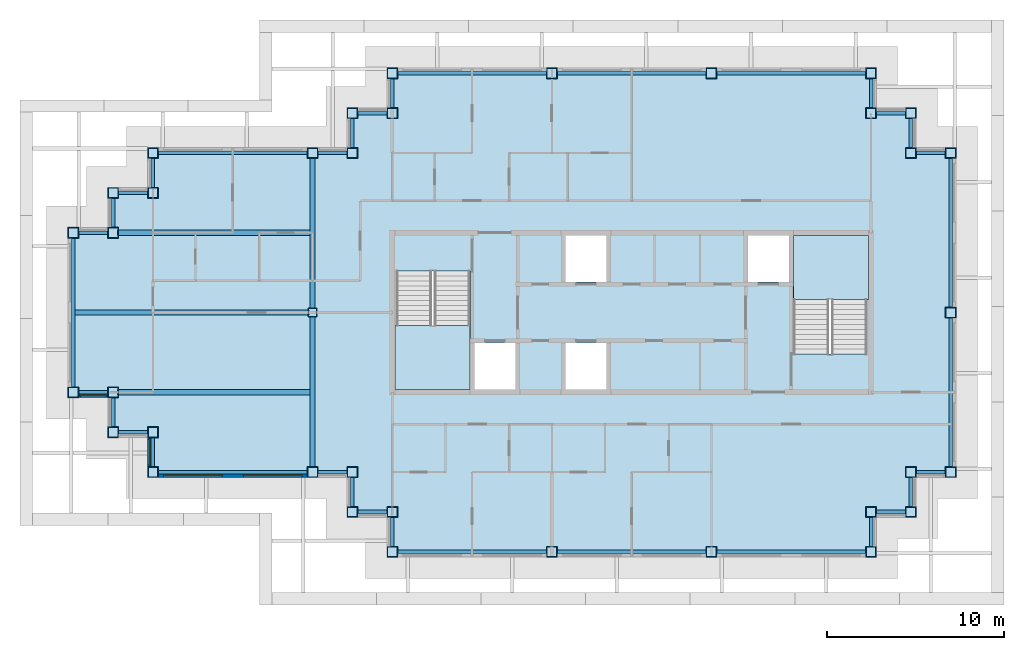
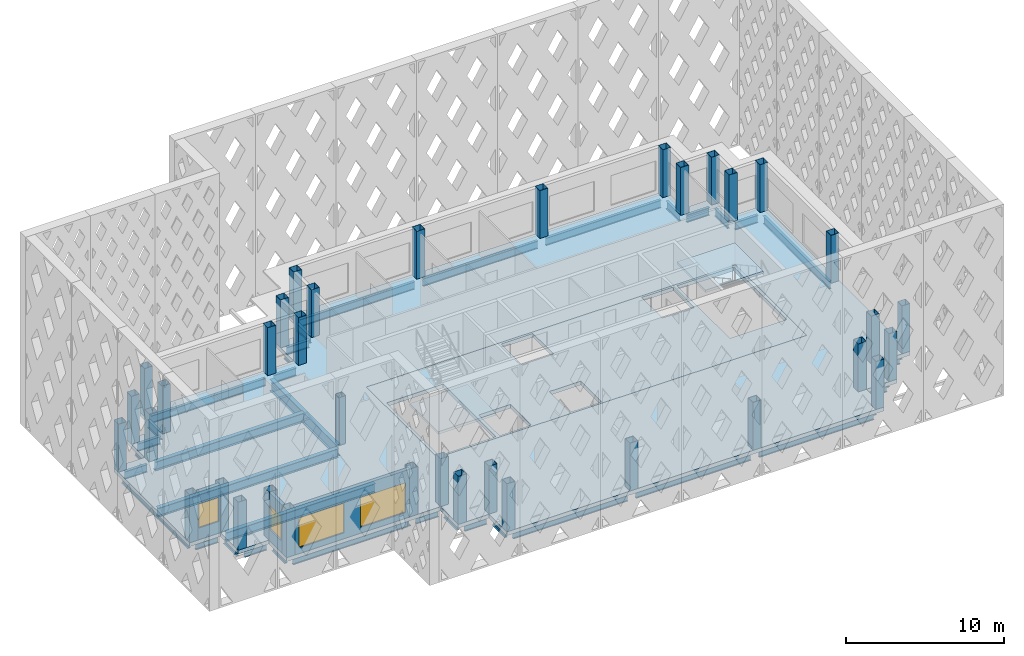
# One storey, part 1 of 15: 40 beams, 36 columns, 4 slabs, 4 windows, 3 walls, 4 openings, 2 elements without a shape of their own.
"""IFC4 building model written with IfcOpenShell, lengths in metres."""

import ifcopenshell
import ifcopenshell.guid

model = None  # the IFC model being written
_history = None  # IfcOwnerHistory: only IFC2X3 demands one
_inside = {}  # id of a spatial element -> (the spatial element, [elements in it])
_under = {}  # id of a project, library or spatial element -> (it, [spatial elements below it])
_declared = {}  # id of a project -> (the project, [libraries it declares])
_typed = {}  # id of a type object -> (the type object, [elements of that type])
_made_of = {}  # id of a material, layer set ... -> (it, [elements and type objects made of it])


def new_model(schema):
    """Start an empty IFC model of exactly this schema.

    Asked for "IFC4X3", IfcOpenShell would pick the latest addendum, in which some entities
    have other attributes; the version numbers below select the first issue.
    IFC2X3 requires an IfcOwnerHistory on every rooted entity: one is made here for all.
    """
    global model, _history
    if schema == "IFC4X3":
        model = ifcopenshell.file(schema_version=(4, 3, 0, 0))
    else:
        model = ifcopenshell.file(schema=schema)
    _inside.clear()
    _under.clear()
    _declared.clear()
    _typed.clear()
    _made_of.clear()
    _history = None
    if model.schema == "IFC2X3":
        org = make("IfcOrganization", Name="unknown")
        user = make(
            "IfcPersonAndOrganization",
            ThePerson=make("IfcPerson", FamilyName="unknown"),
            TheOrganization=org,
        )
        app = make(
            "IfcApplication",
            ApplicationDeveloper=org,
            Version="unknown",
            ApplicationFullName="unknown",
            ApplicationIdentifier="unknown",
        )
        _history = make(
            "IfcOwnerHistory",
            OwningUser=user,
            OwningApplication=app,
            ChangeAction="ADDED",
            CreationDate=0,
        )
    return model


def make(cls, **values):
    """One entity of the class cls with the attributes given. An attribute that is None is left unset."""
    return model.create_entity(
        cls, **{name: value for name, value in values.items() if value is not None}
    )


def rooted(cls, **values):
    """An entity with a GlobalId (a new one), such as an element, a storey or a relation."""
    return make(cls, GlobalId=ifcopenshell.guid.new(), OwnerHistory=_history, **values)


def si_unit(unit_type, name, prefix=None):
    """IfcSIUnit, for example si_unit("LENGTHUNIT", "METRE", prefix="MILLI")."""
    return make("IfcSIUnit", UnitType=unit_type, Prefix=prefix, Name=name)


def assignment(units):
    """IfcUnitAssignment: the units of a project."""
    return None if units is None else make("IfcUnitAssignment", Units=units)


def point(xyz):
    """IfcCartesianPoint."""
    return None if xyz is None else make("IfcCartesianPoint", Coordinates=xyz)


def direction(xyz):
    """IfcDirection."""
    return None if xyz is None else make("IfcDirection", DirectionRatios=xyz)


def frame(location, z_axis=None, x_axis=None):
    """IfcAxis2Placement3D, a coordinate frame: its origin and axes. An axis left out is left unset."""
    return make(
        "IfcAxis2Placement3D",
        Location=point(location),
        Axis=direction(z_axis),
        RefDirection=direction(x_axis),
    )


def frame_2d(location, x_axis=None):
    """IfcAxis2Placement2D, a coordinate frame in the plane: its origin and x axis."""
    return make(
        "IfcAxis2Placement2D", Location=point(location), RefDirection=direction(x_axis)
    )


def origin():
    """The frame at (0, 0, 0) with its axes left unset."""
    return frame((0.0, 0.0, 0.0))


def origin_2d():
    """The frame at (0, 0) in the plane with its x axis left unset."""
    return frame_2d((0.0, 0.0))


def place(relative_to, where):
    """IfcLocalPlacement: puts the frame where relative to a parent placement (None: the world)."""
    return make(
        "IfcLocalPlacement", PlacementRelTo=relative_to, RelativePlacement=where
    )


def context(
    kind, dimensions, precision=None, world=None, true_north=None, identifier=None
):
    """IfcGeometricRepresentationContext, for example the 3D "Model" context."""
    return make(
        "IfcGeometricRepresentationContext",
        ContextIdentifier=identifier,
        ContextType=kind,
        CoordinateSpaceDimension=dimensions,
        Precision=precision,
        WorldCoordinateSystem=world,
        TrueNorth=true_north,
    )


def subcontext(parent, identifier, kind, view, scale=None):
    """IfcGeometricRepresentationSubContext, for example "Body" below "Model"."""
    return make(
        "IfcGeometricRepresentationSubContext",
        ContextIdentifier=identifier,
        ContextType=kind,
        ParentContext=parent,
        TargetScale=scale,
        TargetView=view,
    )


def project(units=None, contexts=None):
    """IfcProject with its units and contexts."""
    return rooted(
        "IfcProject",
        Name="project",
        RepresentationContexts=contexts,
        UnitsInContext=assignment(units),
    )


def spatial(cls, under=None, at=None, **own):
    """A site, building, storey or space (cls), placed at a placement, below another one or the project."""
    s = rooted(cls, ObjectPlacement=at, **own)
    if under is not None:
        _under.setdefault(under.id(), (under, []))[1].append(s)
    return s


def polyline(points):
    """IfcPolyline through the points."""
    return make("IfcPolyline", Points=[point(p) for p in points])


def profile(cls, at=None, kind="AREA", **sizes):
    """A parametric profile (cls). Its sizes go by their IFC names, for example OverallWidth=200.0."""
    return make(cls, ProfileType=kind, Position=at, **sizes)


def rectangle(**sizes):
    """IfcRectangleProfileDef."""
    return profile("IfcRectangleProfileDef", **sizes)


def hollow_rectangle(**sizes):
    """IfcRectangleHollowProfileDef."""
    return profile("IfcRectangleHollowProfileDef", **sizes)


def i_section(**sizes):
    """IfcIShapeProfileDef."""
    return profile("IfcIShapeProfileDef", **sizes)


def outline(outer, holes=None, kind="AREA"):
    """IfcArbitraryClosedProfileDef: a profile drawn as a closed curve; with holes, ...WithVoids."""
    if holes is None:
        return make("IfcArbitraryClosedProfileDef", ProfileType=kind, OuterCurve=outer)
    return make(
        "IfcArbitraryProfileDefWithVoids",
        ProfileType=kind,
        OuterCurve=outer,
        InnerCurves=holes,
    )


def extrude(swept, where, along, depth):
    """IfcExtrudedAreaSolid: the profile swept, set in the frame where, extruded along a direction by depth."""
    return make(
        "IfcExtrudedAreaSolid",
        SweptArea=swept,
        Position=where,
        ExtrudedDirection=direction(along),
        Depth=depth,
    )


def shape(context_of_items, identifier, shape_type, items):
    """IfcShapeRepresentation: the items that make up one representation, for example the "Body"."""
    return make(
        "IfcShapeRepresentation",
        ContextOfItems=context_of_items,
        RepresentationIdentifier=identifier,
        RepresentationType=shape_type,
        Items=items,
    )


def material(Name=None, Category=None):
    """IfcMaterial."""
    return make("IfcMaterial", Name=Name, Category=Category)


def layer(
    of_material, thickness, ventilated=None, Name=None, Category=None, Priority=None
):
    """IfcMaterialLayer: one layer of a wall or slab, of a material (None: an air gap)."""
    return make(
        "IfcMaterialLayer",
        Material=of_material,
        LayerThickness=thickness,
        IsVentilated=ventilated,
        Name=Name,
        Category=Category,
        Priority=Priority,
    )


def layer_set(layers, Name=None):
    """IfcMaterialLayerSet."""
    return make("IfcMaterialLayerSet", MaterialLayers=layers, LayerSetName=Name)


def material_profile(
    of_material, cross_section, Name=None, Category=None, Priority=None
):
    """IfcMaterialProfile: a cross section and its material."""
    return make(
        "IfcMaterialProfile",
        Name=Name,
        Material=of_material,
        Profile=cross_section,
        Priority=Priority,
        Category=Category,
    )


def profile_set(profiles, Name=None, composite=None):
    """IfcMaterialProfileSet."""
    return make(
        "IfcMaterialProfileSet",
        Name=Name,
        MaterialProfiles=profiles,
        CompositeProfile=composite,
    )


def made_of(thing, what):
    """Note that an element or type object is made of a material, layer set ...; save() writes the relation."""
    if what is not None:
        _made_of.setdefault(what.id(), (what, []))[1].append(thing)
    return thing


def type_object(cls, material=None, **own):
    """A type object (cls), such as IfcWallType, which elements share."""
    return made_of(rooted(cls, **own), material)


def element(
    cls,
    number,
    at=None,
    inside=None,
    cuts=None,
    type_object=None,
    material=None,
    context=None,
    identifier="Body",
    shape_type=None,
    held_by="IfcProductDefinitionShape",
    body=None,
    shapes=None,
    **own,
):
    """One element of the class cls, such as IfcWall. Its Tag is "e" and its number.

    at: its placement. inside: the storey or other place that contains it. cuts: it is an
    opening in that element (IfcRelVoidsElement). A single representation is given by context,
    identifier, shape_type and body (its items); several are given by shapes. held_by: the class
    of the entity that holds the representations. save() writes the other relations.
    """
    e = rooted(cls, Tag="e%d" % number, ObjectPlacement=at, **own)
    if body is not None:
        shapes = [shape(context, identifier, shape_type, body)]
    if shapes is not None:
        e.Representation = make(held_by, Representations=shapes)
    if inside is not None:
        _inside.setdefault(inside.id(), (inside, []))[1].append(e)
    if cuts is not None:
        rooted(
            "IfcRelVoidsElement", RelatingBuildingElement=cuts, RelatedOpeningElement=e
        )
    if type_object is not None:
        _typed.setdefault(type_object.id(), (type_object, []))[1].append(e)
    return made_of(e, material)


def fill(opening, filler):
    """IfcRelFillsElement: the door or window that sits in an opening."""
    return rooted(
        "IfcRelFillsElement",
        RelatingOpeningElement=opening,
        RelatedBuildingElement=filler,
    )


def aggregate(whole, parts):
    """IfcRelAggregates: a whole, such as a stair, and the parts it consists of."""
    return rooted("IfcRelAggregates", RelatingObject=whole, RelatedObjects=parts)


def save(model, path):
    """Write the relations noted so far, then the file.

    IfcRelAggregates (storeys below a building ...), IfcRelContainedInSpatialStructure (elements
    in a storey), IfcRelDefinesByType, IfcRelAssociatesMaterial and IfcRelDeclares: one each for
    every whole, place, type object, material and project.
    """
    for whole, parts in _under.values():
        aggregate(whole, parts)
    for where, things in _inside.values():
        rooted(
            "IfcRelContainedInSpatialStructure",
            RelatedElements=things,
            RelatingStructure=where,
        )
    for kind, things in _typed.values():
        rooted("IfcRelDefinesByType", RelatedObjects=things, RelatingType=kind)
    for what, things in _made_of.values():
        rooted("IfcRelAssociatesMaterial", RelatedObjects=things, RelatingMaterial=what)
    for by, libraries in _declared.values():
        rooted("IfcRelDeclares", RelatingContext=by, RelatedDefinitions=libraries)
    model.write(path)


model = new_model("IFC4")

# Units and contexts
model_context = context("Model", 3, precision=1e-05, world=origin(), true_north=direction((0.0, 1.0)))
body_context = subcontext(model_context, "Body", "Model", "MODEL_VIEW")
ifc_project = project(units=[si_unit("LENGTHUNIT", "METRE"), si_unit("AREAUNIT", "SQUARE_METRE"), si_unit("VOLUMEUNIT", "CUBIC_METRE"), si_unit("PLANEANGLEUNIT", "RADIAN"), si_unit("MASSUNIT", "GRAM", prefix="KILO")], contexts=[model_context])

# Site, building, storey
site_placement = place(None, origin())
site = spatial("IfcSite", under=ifc_project, at=site_placement, CompositionType="ELEMENT")
building_placement = place(site_placement, origin())
building = spatial("IfcBuilding", under=site, at=building_placement, Name="Caravel Reach Hotel and Residences", CompositionType="ELEMENT")
storey_placement = place(building_placement, frame((0.0, 0.0, 252.699951171875)))
storey = spatial("IfcBuildingStorey", under=building, at=storey_placement, Name="L64", CompositionType="ELEMENT", Elevation=252.699951171875)

# Columns
ifc_material_1 = material(Name="Concrete-filled steel tube Q390B with Concrete C60 infill", Category="concrete")
ifc_material_profile_1 = material_profile(ifc_material_1, hollow_rectangle(XDim=0.5, YDim=0.5, WallThickness=0.01611328125, InnerFilletRadius=0.031982421875, OuterFilletRadius=0.048095703125, at=origin_2d()), Name="RHS 500x500x16")
ifc_profile_set_1 = profile_set([ifc_material_profile_1], Name="Concrete-filled steel tube Q390B with Concrete C60 infill")
column_type_1 = type_object("IfcColumnType", Name="CFT 500x500 Q390B C60", PredefinedType="COLUMN", material=ifc_profile_set_1)
column_placement = place(storey_placement, frame((13.5, 27.0, 0.0), z_axis=(0.0, 0.0, 1.0), x_axis=(1.0, 0.0, 0.0)))
element("IfcColumn", 1, at=column_placement, inside=storey, type_object=column_type_1, Name="C9 column", PredefinedType="COLUMN", context=body_context, shape_type="SweptSolid", body=[
    extrude(hollow_rectangle(XDim=0.5, YDim=0.5, WallThickness=0.01611328125, InnerFilletRadius=0.031982421875, OuterFilletRadius=0.048095703125, at=origin_2d()), origin(), (0.0, 0.0, 1.0), 3.699951171875),
])
ifc_material_2 = material(Name="Concrete-filled steel tube Q390B with Concrete C60 infill", Category="concrete")
ifc_material_profile_2 = material_profile(ifc_material_2, hollow_rectangle(XDim=0.60009765625, YDim=0.60009765625, WallThickness=0.02001953125, at=origin_2d()), Name="RHS 600x600x20")
ifc_profile_set_2 = profile_set([ifc_material_profile_2], Name="Concrete-filled steel tube Q390B with Concrete C60 infill")
column_type_2 = type_object("IfcColumnType", Name="CFT 600x600 Q390B C60", PredefinedType="COLUMN", material=ifc_profile_set_2)
for number, where, z_axis, x_axis, name in (
    (2, (15.75, 18.0, 0.0), (0.0, 0.0, 1.0), (1.0, 0.0, 0.0), "C8 column"),
    (3, (15.75, 15.75, 0.0), (0.0, 0.0, 1.0), (1.0, 0.0, 0.0), "C8 column"),
    (4, (18.0, 15.75, 0.0), (0.0, 0.0, 1.0), (1.0, 0.0, 0.0), "C8 column"),
    (5, (18.0, 13.5, 0.0), (0.0, 0.0, 1.0), (1.0, 0.0, 0.0), "C8 column"),
    (6, (27.0, 13.5, 0.0), (0.0, 0.0, 1.0), (1.0, 0.0, 0.0), "C8 column"),
    (7, (36.0, 13.5, 0.0), (0.0, 0.0, 1.0), (1.0, 0.0, 0.0), "C8 column"),
    (8, (45.0, 13.5, 0.0), (0.0, 0.0, 1.0), (1.0, 0.0, 0.0), "C8 column"),
    (9, (45.0, 15.75, 0.0), (0.0, 0.0, 1.0), (1.0, 0.0, 0.0), "C8 column"),
    (10, (47.25, 15.75, 0.0), (0.0, 0.0, 1.0), (1.0, 0.0, 0.0), "C8 column"),
    (11, (47.25, 18.0, 0.0), (0.0, 0.0, 1.0), (1.0, 0.0, 0.0), "C8 column"),
    (12, (49.5, 18.0, 0.0), (0.0, 0.0, 1.0), (1.0, 0.0, 0.0), "C8 column"),
    (13, (49.5, 27.0, 0.0), (0.0, 0.0, 1.0), (1.0, 0.0, 0.0), "C8 column"),
    (14, (49.5, 36.0, 0.0), (0.0, 0.0, 1.0), (1.0, 0.0, 0.0), "C8 column"),
    (15, (47.25, 36.0, 0.0), (0.0, 0.0, 1.0), (1.0, 0.0, 0.0), "C8 column"),
    (16, (47.25, 38.25, 0.0), (0.0, 0.0, 1.0), (1.0, 0.0, 0.0), "C8 column"),
    (17, (45.0, 38.25, 0.0), (0.0, 0.0, 1.0), (1.0, 0.0, 0.0), "C8 column"),
    (18, (45.0, 40.5, 0.0), (0.0, 0.0, 1.0), (1.0, 0.0, 0.0), "C8 column"),
    (19, (36.0, 40.5, 0.0), (0.0, 0.0, 1.0), (1.0, 0.0, 0.0), "C8 column"),
    (20, (27.0, 40.5, 0.0), (0.0, 0.0, 1.0), (1.0, 0.0, 0.0), "C8 column"),
    (21, (18.0, 40.5, 0.0), (0.0, 0.0, 1.0), (1.0, 0.0, 0.0), "C8 column"),
    (22, (18.0, 38.25, 0.0), (0.0, 0.0, 1.0), (1.0, 0.0, 0.0), "C8 column"),
    (23, (15.75, 38.25, 0.0), (0.0, 0.0, 1.0), (1.0, 0.0, 0.0), "C8 column"),
    (24, (15.75, 36.0, 0.0), (0.0, 0.0, 1.0), (1.0, 0.0, 0.0), "C8 column"),
    (25, (13.5, 36.0, 0.0), (0.0, 0.0, 1.0), (1.0, 0.0, 0.0), "C8 column"),
    (26, (4.5, 36.0, 0.0), (0.0, 0.0, 1.0), (1.0, 0.0, 0.0), "C8 column"),
    (27, (4.5, 33.75, 0.0), (0.0, 0.0, 1.0), (1.0, 0.0, 0.0), "C8 column"),
    (28, (2.25, 33.75, 0.0), (0.0, 0.0, 1.0), (1.0, 0.0, 0.0), "C8 column"),
    (29, (2.25, 31.5, 0.0), (0.0, 0.0, 1.0), (1.0, 0.0, 0.0), "C8 column"),
    (30, (0.0, 31.5, 0.0), (0.0, 0.0, 1.0), (1.0, 0.0, 0.0), "C8 column"),
    (31, (0.0, 22.5, 0.0), (0.0, 0.0, 1.0), (1.0, 0.0, 0.0), "C8 column"),
    (32, (2.25, 22.5, 0.0), (0.0, 0.0, 1.0), (1.0, 0.0, 0.0), "C8 column"),
    (33, (2.25, 20.25, 0.0), (0.0, 0.0, 1.0), (1.0, 0.0, 0.0), "C8 column"),
    (34, (4.5, 20.25, 0.0), (0.0, 0.0, 1.0), (1.0, 0.0, 0.0), "C8 column"),
    (35, (4.5, 18.0, 0.0), (0.0, 0.0, 1.0), (1.0, 0.0, 0.0), "C8 column"),
    (36, (13.5, 18.0, 0.0), (0.0, 0.0, 1.0), (1.0, 0.0, 0.0), "C8 column"),
):
    element("IfcColumn", number, at=place(storey_placement, frame(where, z_axis=z_axis, x_axis=x_axis)), inside=storey, type_object=column_type_2, Name=name, PredefinedType="COLUMN", context=body_context, shape_type="SweptSolid", body=[
        extrude(hollow_rectangle(XDim=0.60009765625, YDim=0.60009765625, WallThickness=0.02001953125, at=origin_2d()), origin(), (0.0, 0.0, 1.0), 3.699951171875),
    ])

# Beams
ifc_material_3 = material(Name="Structural steel Q355B", Category="steel")
ifc_material_profile_3 = material_profile(ifc_material_3, i_section(OverallWidth=0.300048828125, OverallDepth=0.699951171875, WebThickness=0.012939453125, FlangeThickness=0.02392578125, FilletRadius=0.01806640625, at=origin_2d()), Name="HN 700x300x13x24")
ifc_profile_set_3 = profile_set([ifc_material_profile_3], Name="Structural steel Q355B")
beam_type_1 = type_object("IfcBeamType", Name="Beam HN 700x300x13x24", PredefinedType="BEAM", material=ifc_profile_set_3)
beam_1_placement = place(storey_placement, frame((13.39990234375, 22.5, -0.64990234375), z_axis=(-1.0, 0.0, 0.0), x_axis=(0.0, -1.0, 0.0)))
element("IfcBeam", 37, at=beam_1_placement, inside=storey, type_object=beam_type_1, Name="B2 HN 700x300x13x24", PredefinedType="BEAM", context=body_context, shape_type="SweptSolid", body=[
    extrude(i_section(OverallWidth=0.300048828125, OverallDepth=0.699951171875, WebThickness=0.012939453125, FlangeThickness=0.02392578125, FilletRadius=0.01806640625, at=origin_2d()), origin(), (0.0, 0.0, 1.0), 10.89990234375),
])
beam_2_placement = place(storey_placement, frame((13.300048828125, 27.0, -0.64990234375), z_axis=(-1.0, 0.0, 0.0), x_axis=(0.0, -1.0, 0.0)))
element("IfcBeam", 38, at=beam_2_placement, inside=storey, type_object=beam_type_1, Name="B2 HN 700x300x13x24", PredefinedType="BEAM", context=body_context, shape_type="SweptSolid", body=[
    extrude(i_section(OverallWidth=0.300048828125, OverallDepth=0.699951171875, WebThickness=0.012939453125, FlangeThickness=0.02392578125, FilletRadius=0.01806640625, at=origin_2d()), origin(), (0.0, 0.0, 1.0), 13.199951171875),
])
beam_3_placement = place(storey_placement, frame((13.39990234375, 31.5, -0.64990234375), z_axis=(-1.0, 0.0, 0.0), x_axis=(0.0, -1.0, 0.0)))
element("IfcBeam", 39, at=beam_3_placement, inside=storey, type_object=beam_type_1, Name="B2 HN 700x300x13x24", PredefinedType="BEAM", context=body_context, shape_type="SweptSolid", body=[
    extrude(i_section(OverallWidth=0.300048828125, OverallDepth=0.699951171875, WebThickness=0.012939453125, FlangeThickness=0.02392578125, FilletRadius=0.01806640625, at=origin_2d()), origin(), (0.0, 0.0, 1.0), 10.89990234375),
])
ifc_material_4 = material(Name="Structural steel Q355B", Category="steel")
ifc_material_profile_4 = material_profile(ifc_material_4, i_section(OverallWidth=0.300048828125, OverallDepth=0.89990234375, WebThickness=0.01611328125, FlangeThickness=0.028076171875, FilletRadius=0.01806640625, at=origin_2d()), Name="HN 900x300x16x28")
ifc_profile_set_4 = profile_set([ifc_material_profile_4], Name="Structural steel Q355B")
beam_type_2 = type_object("IfcBeamType", Name="Beam HN 900x300x16x28", PredefinedType="BEAM", material=ifc_profile_set_4)
for number, where, z_axis, x_axis, name in (
    (40, (13.5, 18.300048828125, -0.75), (0.0, 1.0, 0.0), (-1.0, 0.0, 0.0), "B3 HN 900x300x16x28"),
    (41, (13.5, 27.25, -0.75), (0.0, 1.0, 0.0), (-1.0, 0.0, 0.0), "B3 HN 900x300x16x28"),
):
    element("IfcBeam", number, at=place(storey_placement, frame(where, z_axis=z_axis, x_axis=x_axis)), inside=storey, type_object=beam_type_2, Name=name, PredefinedType="BEAM", context=body_context, shape_type="SweptSolid", body=[
        extrude(i_section(OverallWidth=0.300048828125, OverallDepth=0.89990234375, WebThickness=0.01611328125, FlangeThickness=0.028076171875, FilletRadius=0.01806640625, at=origin_2d()), origin(), (0.0, 0.0, 1.0), 8.449951171875),
    ])
ifc_material_5 = material(Name="Structural steel Q355B", Category="steel")
ifc_material_profile_5 = material_profile(ifc_material_5, i_section(OverallWidth=0.199951171875, OverallDepth=0.60009765625, WebThickness=0.010986328125, FlangeThickness=0.01708984375, FilletRadius=0.012939453125, at=origin_2d()), Name="HN 600x200x11x17")
ifc_profile_set_5 = profile_set([ifc_material_profile_5], Name="Structural steel Q355B")
beam_type_3 = type_object("IfcBeamType", Name="Spandrel beam HN 600x200x11x17", PredefinedType="SPANDREL", material=ifc_profile_set_5)
for number, where, z_axis, x_axis, name in (
    (42, (15.75, 17.699951171875, -0.599853515625), (0.0, -1.0, 0.0), (1.0, 0.0, 0.0), "SP1 HN 600x200x11x17"),
    (43, (16.050048828125, 15.75, -0.599853515625), (1.0, 0.0, 0.0), (0.0, 1.0, 0.0), "SP1 HN 600x200x11x17"),
    (44, (18.0, 15.449951171875, -0.599853515625), (0.0, -1.0, 0.0), (1.0, 0.0, 0.0), "SP1 HN 600x200x11x17"),
):
    element("IfcBeam", number, at=place(storey_placement, frame(where, z_axis=z_axis, x_axis=x_axis)), inside=storey, type_object=beam_type_3, Name=name, PredefinedType="SPANDREL", context=body_context, shape_type="SweptSolid", body=[
        extrude(i_section(OverallWidth=0.199951171875, OverallDepth=0.60009765625, WebThickness=0.010986328125, FlangeThickness=0.01708984375, FilletRadius=0.012939453125, at=origin_2d()), origin(), (0.0, 0.0, 1.0), 1.64990234375),
    ])
for number, where, z_axis, x_axis, name in (
    (45, (18.300048828125, 13.5, -0.599853515625), (1.0, 0.0, 0.0), (0.0, 1.0, 0.0), "SP1 HN 600x200x11x17"),
    (46, (27.300048828125, 13.5, -0.599853515625), (1.0, 0.0, 0.0), (0.0, 1.0, 0.0), "SP1 HN 600x200x11x17"),
    (47, (36.300048828125, 13.5, -0.599853515625), (1.0, 0.0, 0.0), (0.0, 1.0, 0.0), "SP1 HN 600x200x11x17"),
):
    element("IfcBeam", number, at=place(storey_placement, frame(where, z_axis=z_axis, x_axis=x_axis)), inside=storey, type_object=beam_type_3, Name=name, PredefinedType="SPANDREL", context=body_context, shape_type="SweptSolid", body=[
        extrude(i_section(OverallWidth=0.199951171875, OverallDepth=0.60009765625, WebThickness=0.010986328125, FlangeThickness=0.01708984375, FilletRadius=0.012939453125, at=origin_2d()), origin(), (0.0, 0.0, 1.0), 8.39990234375),
    ])
for number, where, z_axis, x_axis, name in (
    (48, (45.0, 13.800048828125, -0.599853515625), (0.0, 1.0, 0.0), (-1.0, 0.0, 0.0), "SP1 HN 600x200x11x17"),
    (49, (45.300048828125, 15.75, -0.599853515625), (1.0, 0.0, 0.0), (0.0, 1.0, 0.0), "SP1 HN 600x200x11x17"),
    (50, (47.25, 16.050048828125, -0.599853515625), (0.0, 1.0, 0.0), (-1.0, 0.0, 0.0), "SP1 HN 600x200x11x17"),
    (51, (47.550048828125, 18.0, -0.599853515625), (1.0, 0.0, 0.0), (0.0, 1.0, 0.0), "SP1 HN 600x200x11x17"),
):
    element("IfcBeam", number, at=place(storey_placement, frame(where, z_axis=z_axis, x_axis=x_axis)), inside=storey, type_object=beam_type_3, Name=name, PredefinedType="SPANDREL", context=body_context, shape_type="SweptSolid", body=[
        extrude(i_section(OverallWidth=0.199951171875, OverallDepth=0.60009765625, WebThickness=0.010986328125, FlangeThickness=0.01708984375, FilletRadius=0.012939453125, at=origin_2d()), origin(), (0.0, 0.0, 1.0), 1.64990234375),
    ])
for number, where, z_axis, x_axis, name in (
    (52, (49.5, 18.300048828125, -0.599853515625), (0.0, 1.0, 0.0), (-1.0, 0.0, 0.0), "SP1 HN 600x200x11x17"),
    (53, (49.5, 27.300048828125, -0.599853515625), (0.0, 1.0, 0.0), (-1.0, 0.0, 0.0), "SP1 HN 600x200x11x17"),
):
    element("IfcBeam", number, at=place(storey_placement, frame(where, z_axis=z_axis, x_axis=x_axis)), inside=storey, type_object=beam_type_3, Name=name, PredefinedType="SPANDREL", context=body_context, shape_type="SweptSolid", body=[
        extrude(i_section(OverallWidth=0.199951171875, OverallDepth=0.60009765625, WebThickness=0.010986328125, FlangeThickness=0.01708984375, FilletRadius=0.012939453125, at=origin_2d()), origin(), (0.0, 0.0, 1.0), 8.39990234375),
    ])
for number, where, z_axis, x_axis, name in (
    (54, (49.199951171875, 36.0, -0.599853515625), (-1.0, 0.0, 0.0), (0.0, -1.0, 0.0), "SP1 HN 600x200x11x17"),
    (55, (47.25, 36.300048828125, -0.599853515625), (0.0, 1.0, 0.0), (-1.0, 0.0, 0.0), "SP1 HN 600x200x11x17"),
    (56, (46.949951171875, 38.25, -0.599853515625), (-1.0, 0.0, 0.0), (0.0, -1.0, 0.0), "SP1 HN 600x200x11x17"),
    (57, (45.0, 38.550048828125, -0.599853515625), (0.0, 1.0, 0.0), (-1.0, 0.0, 0.0), "SP1 HN 600x200x11x17"),
):
    element("IfcBeam", number, at=place(storey_placement, frame(where, z_axis=z_axis, x_axis=x_axis)), inside=storey, type_object=beam_type_3, Name=name, PredefinedType="SPANDREL", context=body_context, shape_type="SweptSolid", body=[
        extrude(i_section(OverallWidth=0.199951171875, OverallDepth=0.60009765625, WebThickness=0.010986328125, FlangeThickness=0.01708984375, FilletRadius=0.012939453125, at=origin_2d()), origin(), (0.0, 0.0, 1.0), 1.64990234375),
    ])
for number, where, z_axis, x_axis, name in (
    (58, (44.699951171875, 40.5, -0.599853515625), (-1.0, 0.0, 0.0), (0.0, -1.0, 0.0), "SP1 HN 600x200x11x17"),
    (59, (35.699951171875, 40.5, -0.599853515625), (-1.0, 0.0, 0.0), (0.0, -1.0, 0.0), "SP1 HN 600x200x11x17"),
    (60, (26.699951171875, 40.5, -0.599853515625), (-1.0, 0.0, 0.0), (0.0, -1.0, 0.0), "SP1 HN 600x200x11x17"),
):
    element("IfcBeam", number, at=place(storey_placement, frame(where, z_axis=z_axis, x_axis=x_axis)), inside=storey, type_object=beam_type_3, Name=name, PredefinedType="SPANDREL", context=body_context, shape_type="SweptSolid", body=[
        extrude(i_section(OverallWidth=0.199951171875, OverallDepth=0.60009765625, WebThickness=0.010986328125, FlangeThickness=0.01708984375, FilletRadius=0.012939453125, at=origin_2d()), origin(), (0.0, 0.0, 1.0), 8.39990234375),
    ])
for number, where, z_axis, x_axis, name in (
    (61, (18.0, 40.199951171875, -0.599853515625), (0.0, -1.0, 0.0), (1.0, 0.0, 0.0), "SP1 HN 600x200x11x17"),
    (62, (17.699951171875, 38.25, -0.599853515625), (-1.0, 0.0, 0.0), (0.0, -1.0, 0.0), "SP1 HN 600x200x11x17"),
    (63, (15.75, 37.949951171875, -0.599853515625), (0.0, -1.0, 0.0), (1.0, 0.0, 0.0), "SP1 HN 600x200x11x17"),
    (64, (15.449951171875, 36.0, -0.599853515625), (-1.0, 0.0, 0.0), (0.0, -1.0, 0.0), "SP1 HN 600x200x11x17"),
):
    element("IfcBeam", number, at=place(storey_placement, frame(where, z_axis=z_axis, x_axis=x_axis)), inside=storey, type_object=beam_type_3, Name=name, PredefinedType="SPANDREL", context=body_context, shape_type="SweptSolid", body=[
        extrude(i_section(OverallWidth=0.199951171875, OverallDepth=0.60009765625, WebThickness=0.010986328125, FlangeThickness=0.01708984375, FilletRadius=0.012939453125, at=origin_2d()), origin(), (0.0, 0.0, 1.0), 1.64990234375),
    ])
beam_4_placement = place(storey_placement, frame((13.199951171875, 36.0, -0.599853515625), z_axis=(-1.0, 0.0, 0.0), x_axis=(0.0, -1.0, 0.0)))
element("IfcBeam", 65, at=beam_4_placement, inside=storey, type_object=beam_type_3, Name="SP1 HN 600x200x11x17", PredefinedType="SPANDREL", context=body_context, shape_type="SweptSolid", body=[
    extrude(i_section(OverallWidth=0.199951171875, OverallDepth=0.60009765625, WebThickness=0.010986328125, FlangeThickness=0.01708984375, FilletRadius=0.012939453125, at=origin_2d()), origin(), (0.0, 0.0, 1.0), 8.39990234375),
])
for number, where, z_axis, x_axis, name in (
    (66, (4.5, 35.699951171875, -0.599853515625), (0.0, -1.0, 0.0), (1.0, 0.0, 0.0), "SP1 HN 600x200x11x17"),
    (67, (4.199951171875, 33.75, -0.599853515625), (-1.0, 0.0, 0.0), (0.0, -1.0, 0.0), "SP1 HN 600x200x11x17"),
    (68, (2.25, 33.449951171875, -0.599853515625), (0.0, -1.0, 0.0), (1.0, 0.0, 0.0), "SP1 HN 600x200x11x17"),
    (69, (1.949951171875, 31.5, -0.599853515625), (-1.0, 0.0, 0.0), (0.0, -1.0, 0.0), "SP1 HN 600x200x11x17"),
):
    element("IfcBeam", number, at=place(storey_placement, frame(where, z_axis=z_axis, x_axis=x_axis)), inside=storey, type_object=beam_type_3, Name=name, PredefinedType="SPANDREL", context=body_context, shape_type="SweptSolid", body=[
        extrude(i_section(OverallWidth=0.199951171875, OverallDepth=0.60009765625, WebThickness=0.010986328125, FlangeThickness=0.01708984375, FilletRadius=0.012939453125, at=origin_2d()), origin(), (0.0, 0.0, 1.0), 1.64990234375),
    ])
beam_5_placement = place(storey_placement, frame((0.0, 31.199951171875, -0.599853515625), z_axis=(0.0, -1.0, 0.0), x_axis=(1.0, 0.0, 0.0)))
element("IfcBeam", 70, at=beam_5_placement, inside=storey, type_object=beam_type_3, Name="SP1 HN 600x200x11x17", PredefinedType="SPANDREL", context=body_context, shape_type="SweptSolid", body=[
    extrude(i_section(OverallWidth=0.199951171875, OverallDepth=0.60009765625, WebThickness=0.010986328125, FlangeThickness=0.01708984375, FilletRadius=0.012939453125, at=origin_2d()), origin(), (0.0, 0.0, 1.0), 8.39990234375),
])
for number, where, z_axis, x_axis, name in (
    (71, (0.300048828125, 22.5, -0.599853515625), (1.0, 0.0, 0.0), (0.0, 1.0, 0.0), "SP1 HN 600x200x11x17"),
    (72, (2.25, 22.199951171875, -0.599853515625), (0.0, -1.0, 0.0), (1.0, 0.0, 0.0), "SP1 HN 600x200x11x17"),
    (73, (2.550048828125, 20.25, -0.599853515625), (1.0, 0.0, 0.0), (0.0, 1.0, 0.0), "SP1 HN 600x200x11x17"),
    (74, (4.5, 19.949951171875, -0.599853515625), (0.0, -1.0, 0.0), (1.0, 0.0, 0.0), "SP1 HN 600x200x11x17"),
):
    element("IfcBeam", number, at=place(storey_placement, frame(where, z_axis=z_axis, x_axis=x_axis)), inside=storey, type_object=beam_type_3, Name=name, PredefinedType="SPANDREL", context=body_context, shape_type="SweptSolid", body=[
        extrude(i_section(OverallWidth=0.199951171875, OverallDepth=0.60009765625, WebThickness=0.010986328125, FlangeThickness=0.01708984375, FilletRadius=0.012939453125, at=origin_2d()), origin(), (0.0, 0.0, 1.0), 1.64990234375),
    ])
beam_6_placement = place(storey_placement, frame((4.800048828125, 18.0, -0.599853515625), z_axis=(1.0, 0.0, 0.0), x_axis=(0.0, 1.0, 0.0)))
element("IfcBeam", 75, at=beam_6_placement, inside=storey, type_object=beam_type_3, Name="SP1 HN 600x200x11x17", PredefinedType="SPANDREL", context=body_context, shape_type="SweptSolid", body=[
    extrude(i_section(OverallWidth=0.199951171875, OverallDepth=0.60009765625, WebThickness=0.010986328125, FlangeThickness=0.01708984375, FilletRadius=0.012939453125, at=origin_2d()), origin(), (0.0, 0.0, 1.0), 8.39990234375),
])
beam_7_placement = place(storey_placement, frame((13.800048828125, 18.0, -0.599853515625), z_axis=(1.0, 0.0, 0.0), x_axis=(0.0, 1.0, 0.0)))
element("IfcBeam", 76, at=beam_7_placement, inside=storey, type_object=beam_type_3, Name="SP1 HN 600x200x11x17", PredefinedType="SPANDREL", context=body_context, shape_type="SweptSolid", body=[
    extrude(i_section(OverallWidth=0.199951171875, OverallDepth=0.60009765625, WebThickness=0.010986328125, FlangeThickness=0.01708984375, FilletRadius=0.012939453125, at=origin_2d()), origin(), (0.0, 0.0, 1.0), 1.64990234375),
])

# Slab
ifc_material_6 = material(Name="Concrete C40", Category="concrete")
ifc_layer_1 = layer(ifc_material_6, 0.300048828125)
ifc_layer_set_1 = layer_set([ifc_layer_1], Name="Core floor slab 300 mm")
slab_type_1 = type_object("IfcSlabType", Name="Core floor slab 300 mm", PredefinedType="FLOOR", material=ifc_layer_set_1)
slab_1_placement = place(storey_placement, frame((0.0, 0.0, -0.300048828125)))
element("IfcSlab", 77, at=slab_1_placement, inside=storey, type_object=slab_type_1, Name="L64 core floor", PredefinedType="FLOOR", context=body_context, shape_type="SweptSolid", body=[
    extrude(outline(polyline([(18.0, 31.5), (45.0, 31.5), (45.0, 22.5), (18.0, 22.5), (18.0, 31.5)]), holes=[polyline([(22.625, 22.64990234375), (24.9462890625, 22.64990234375), (24.9462890625, 25.27490234375), (22.625, 25.27490234375), (22.625, 22.64990234375)]), polyline([(27.767822265625, 25.27490234375), (27.767822265625, 22.64990234375), (30.08935546875, 22.64990234375), (30.08935546875, 25.27490234375), (27.767822265625, 25.27490234375)]), polyline([(22.375, 22.64990234375), (22.375, 29.35009765625), (18.22509765625, 29.35009765625), (18.22509765625, 22.64990234375), (22.375, 22.64990234375)]), polyline([(40.625, 24.64990234375), (44.77490234375, 24.64990234375), (44.77490234375, 31.35009765625), (40.625, 31.35009765625), (40.625, 24.64990234375)]), polyline([(27.767822265625, 31.35009765625), (27.767822265625, 28.72509765625), (30.08935546875, 28.72509765625), (30.08935546875, 31.35009765625), (27.767822265625, 31.35009765625)]), polyline([(38.0537109375, 31.35009765625), (38.0537109375, 28.72509765625), (40.375, 28.72509765625), (40.375, 31.35009765625), (38.0537109375, 31.35009765625)])]), origin(), (0.0, 0.0, 1.0), 0.300048828125),
])

# Stair, slab
ifc_material_7 = material(Name="Concrete C40", Category="concrete")
stair_type = type_object("IfcStairType", Name="Core stair", PredefinedType="HALF_TURN_STAIR", material=ifc_material_7)
stair_1_placement = place(storey_placement, origin())
stair_1 = element("IfcStair", 78, at=stair_1_placement, inside=storey, type_object=stair_type, Name="L64 Exit stair A", PredefinedType="HALF_TURN_STAIR")
ifc_material_8 = material(Name="Concrete C40", Category="concrete")
ifc_layer_2 = layer(ifc_material_8, 0.199951171875)
ifc_layer_set_2 = layer_set([ifc_layer_2], Name="Core stair landing")
slab_type_2 = type_object("IfcSlabType", Name="Core stair landing", PredefinedType="LANDING", material=ifc_layer_set_2)
slab_2_placement = place(storey_placement, frame((0.0, 0.0, 1.650146484375)))
slab_2 = element("IfcSlab", 79, at=slab_2_placement, type_object=slab_type_2, Name="ST-A landing 1", PredefinedType="LANDING", context=body_context, shape_type="SweptSolid", body=[
    extrude(outline(polyline([(18.14990234375, 26.27001953125), (18.14990234375, 22.64990234375), (22.375, 22.64990234375), (22.375, 26.27001953125), (18.14990234375, 26.27001953125)])), origin(), (0.0, 0.0, 1.0), 0.199951171875),
])
aggregate(stair_1, [slab_2])

stair_2_placement = place(storey_placement, origin())
stair_2 = element("IfcStair", 80, at=stair_2_placement, inside=storey, type_object=stair_type, Name="L64 Exit stair B", PredefinedType="HALF_TURN_STAIR")
slab_3_placement = place(storey_placement, frame((0.0, 0.0, 1.650146484375)))
slab_3 = element("IfcSlab", 81, at=slab_3_placement, type_object=slab_type_2, Name="ST-B landing 1", PredefinedType="LANDING", context=body_context, shape_type="SweptSolid", body=[
    extrude(outline(polyline([(44.85009765625, 27.72998046875), (44.85009765625, 31.35009765625), (40.625, 31.35009765625), (40.625, 27.72998046875), (44.85009765625, 27.72998046875)])), origin(), (0.0, 0.0, 1.0), 0.199951171875),
])
aggregate(stair_2, [slab_3])

# Slab
ifc_material_9 = material(Name="Concrete C40 post-tensioned", Category="concrete")
ifc_layer_3 = layer(ifc_material_9, 0.300048828125)
ifc_layer_set_3 = layer_set([ifc_layer_3], Name="Floor slab 300")
slab_type_3 = type_object("IfcSlabType", Name="Floor slab 300", PredefinedType="FLOOR", material=ifc_layer_set_3)
slab_4_placement = place(storey_placement, frame((0.0, 0.0, -0.300048828125)))
element("IfcSlab", 82, at=slab_4_placement, inside=storey, type_object=slab_type_3, Name="S2 slab L64", PredefinedType="FLOOR", context=body_context, shape_type="SweptSolid", body=[
    extrude(outline(polyline([(4.199951171875, 19.949951171875), (1.949951171875, 19.949951171875), (1.949951171875, 22.199951171875), (-0.300048828125, 22.199951171875), (-0.300048828125, 31.800048828125), (1.949951171875, 31.800048828125), (1.949951171875, 34.050048828125), (4.199951171875, 34.050048828125), (4.199951171875, 36.300048828125), (15.449951171875, 36.300048828125), (15.449951171875, 38.550048828125), (17.699951171875, 38.550048828125), (17.699951171875, 40.800048828125), (45.300048828125, 40.800048828125), (45.300048828125, 38.550048828125), (47.550048828125, 38.550048828125), (47.550048828125, 36.300048828125), (49.800048828125, 36.300048828125), (49.800048828125, 17.699951171875), (47.550048828125, 17.699951171875), (47.550048828125, 15.449951171875), (45.300048828125, 15.449951171875), (45.300048828125, 13.199951171875), (17.699951171875, 13.199951171875), (17.699951171875, 15.449951171875), (15.449951171875, 15.449951171875), (15.449951171875, 17.699951171875), (4.199951171875, 17.699951171875), (4.199951171875, 19.949951171875)]), holes=[polyline([(45.0, 31.5), (18.0, 31.5), (18.0, 22.5), (45.0, 22.5), (45.0, 31.5)])]), origin(), (0.0, 0.0, 1.0), 0.300048828125),
])

# Wall, opening, window
ifc_material_10 = material(Name="Insulated rainscreen wall, aluminium cladding", Category="aluminium")
ifc_layer_4 = layer(ifc_material_10, 0.25)
ifc_layer_set_4 = layer_set([ifc_layer_4], Name="EW1 Tower rainscreen wall")
wall_type = type_object("IfcWallType", Name="EW1 Tower rainscreen wall", PredefinedType="SOLIDWALL", material=ifc_layer_set_4)
wall_1_placement = place(storey_placement, frame((0.300048828125, 22.324951171875, 0.0), z_axis=(0.0, 0.0, 1.0), x_axis=(1.0, 0.0, 0.0)))
wall_1 = element("IfcWall", 83, at=wall_1_placement, inside=storey, type_object=wall_type, Name="External wall L64 S24.1", PredefinedType="SOLIDWALL", context=body_context, shape_type="SweptSolid", body=[
    extrude(rectangle(XDim=1.64990234375, YDim=0.25, at=frame_2d((0.824951171875, 0.0))), origin(), (0.0, 0.0, 1.0), 3.699951171875),
])
opening_1_placement = place(wall_1_placement, frame((0.10009765625, 0.0, 0.89990234375)))
opening_1 = element("IfcOpeningElement", 84, at=opening_1_placement, cuts=wall_1, Name="Opening WN25", PredefinedType="OPENING", context=body_context, shape_type="SweptSolid", body=[
    extrude(rectangle(XDim=1.449951171875, YDim=1.85009765625, at=frame_2d((0.72509765625, 0.925048828125))), frame((0.0, 0.135009765625, 0.0), z_axis=(0.0, -1.0, 0.0), x_axis=(1.0, 0.0, 0.0)), (0.0, 0.0, 1.0), 0.27001953125),
])
ifc_material_11 = material(Name="Dark low-e glazing in black aluminium frame", Category="aluminium")
window_type_1 = type_object("IfcWindowType", Name="Residence bedroom window 1450 x 1850", PartitioningType="SINGLE_PANEL", PredefinedType="WINDOW", material=ifc_material_11)
window_1_placement = place(opening_1_placement, origin())
window_1 = element("IfcWindow", 85, at=window_1_placement, inside=storey, type_object=window_type_1, Name="Window L64 S24.1.1", OverallHeight=1.85009765625, OverallWidth=1.449951171875, PartitioningType="SINGLE_PANEL", PredefinedType="WINDOW", context=body_context, shape_type="SweptSolid", body=[
    extrude(rectangle(XDim=1.449951171875, YDim=1.85009765625, at=frame_2d((0.72509765625, 0.925048828125))), frame((0.0, 0.030029296875, 0.0), z_axis=(0.0, -1.0, 0.0), x_axis=(1.0, 0.0, 0.0)), (0.0, 0.0, 1.0), 0.06005859375),
])
fill(opening_1, window_1)

wall_2_placement = place(storey_placement, frame((4.324951171875, 19.949951171875, 0.0), z_axis=(0.0, 0.0, 1.0), x_axis=(0.0, -1.0, 0.0)))
wall_2 = element("IfcWall", 86, at=wall_2_placement, inside=storey, type_object=wall_type, Name="External wall L64 W27.1", PredefinedType="SOLIDWALL", context=body_context, shape_type="SweptSolid", body=[
    extrude(rectangle(XDim=1.64990234375, YDim=0.25, at=frame_2d((0.824951171875, 0.0))), origin(), (0.0, 0.0, 1.0), 3.699951171875),
])
opening_2_placement = place(wall_2_placement, frame((0.10009765625, 0.0, 0.89990234375)))
opening_2 = element("IfcOpeningElement", 87, at=opening_2_placement, cuts=wall_2, Name="Opening WN25", PredefinedType="OPENING", context=body_context, shape_type="SweptSolid", body=[
    extrude(rectangle(XDim=1.449951171875, YDim=1.85009765625, at=frame_2d((0.72509765625, 0.925048828125))), frame((0.0, 0.135009765625, 0.0), z_axis=(0.0, -1.0, 0.0), x_axis=(1.0, 0.0, 0.0)), (0.0, 0.0, 1.0), 0.27001953125),
])
window_2_placement = place(opening_2_placement, origin())
window_2 = element("IfcWindow", 88, at=window_2_placement, inside=storey, type_object=window_type_1, Name="Window L64 W27.1.1", OverallHeight=1.85009765625, OverallWidth=1.449951171875, PartitioningType="SINGLE_PANEL", PredefinedType="WINDOW", context=body_context, shape_type="SweptSolid", body=[
    extrude(rectangle(XDim=1.449951171875, YDim=1.85009765625, at=frame_2d((0.72509765625, 0.925048828125))), frame((0.0, 0.030029296875, 0.0), z_axis=(0.0, -1.0, 0.0), x_axis=(1.0, 0.0, 0.0)), (0.0, 0.0, 1.0), 0.06005859375),
])
fill(opening_2, window_2)

# Wall, openings, windows
wall_3_placement = place(storey_placement, frame((4.800048828125, 17.824951171875, 0.0), z_axis=(0.0, 0.0, 1.0), x_axis=(1.0, 0.0, 0.0)))
wall_3 = element("IfcWall", 89, at=wall_3_placement, inside=storey, type_object=wall_type, Name="External wall L64 S28.1", PredefinedType="SOLIDWALL", context=body_context, shape_type="SweptSolid", body=[
    extrude(rectangle(XDim=8.39990234375, YDim=0.25, at=frame_2d((4.199951171875, 0.0))), origin(), (0.0, 0.0, 1.0), 3.699951171875),
])
opening_3_placement = place(wall_3_placement, frame((0.300048828125, 0.0, 0.449951171875)))
opening_3 = element("IfcOpeningElement", 90, at=opening_3_placement, cuts=wall_3, Name="Opening WN15", PredefinedType="OPENING", context=body_context, shape_type="SweptSolid", body=[
    extrude(rectangle(XDim=3.300048828125, YDim=2.300048828125, at=frame_2d((1.64990234375, 1.14990234375))), frame((0.0, 0.135009765625, 0.0), z_axis=(0.0, -1.0, 0.0), x_axis=(1.0, 0.0, 0.0)), (0.0, 0.0, 1.0), 0.27001953125),
])
opening_4_placement = place(wall_3_placement, frame((4.800048828125, 0.0, 0.449951171875)))
opening_4 = element("IfcOpeningElement", 91, at=opening_4_placement, cuts=wall_3, Name="Opening WN15", PredefinedType="OPENING", context=body_context, shape_type="SweptSolid", body=[
    extrude(rectangle(XDim=3.300048828125, YDim=2.300048828125, at=frame_2d((1.64990234375, 1.14990234375))), frame((0.0, 0.135009765625, 0.0), z_axis=(0.0, -1.0, 0.0), x_axis=(1.0, 0.0, 0.0)), (0.0, 0.0, 1.0), 0.27001953125),
])
ifc_material_12 = material(Name="Dark low-e glazing in black aluminium frame", Category="aluminium")
window_type_2 = type_object("IfcWindowType", Name="Residence living window 3300 x 2300", PartitioningType="SINGLE_PANEL", PredefinedType="WINDOW", material=ifc_material_12)
window_3_placement = place(opening_3_placement, origin())
window_3 = element("IfcWindow", 92, at=window_3_placement, inside=storey, type_object=window_type_2, Name="Window L64 S28.1.1", OverallHeight=2.300048828125, OverallWidth=3.300048828125, PartitioningType="SINGLE_PANEL", PredefinedType="WINDOW", context=body_context, shape_type="SweptSolid", body=[
    extrude(rectangle(XDim=3.300048828125, YDim=2.300048828125, at=frame_2d((1.64990234375, 1.14990234375))), frame((0.0, 0.030029296875, 0.0), z_axis=(0.0, -1.0, 0.0), x_axis=(1.0, 0.0, 0.0)), (0.0, 0.0, 1.0), 0.06005859375),
])
fill(opening_3, window_3)
window_4_placement = place(opening_4_placement, origin())
window_4 = element("IfcWindow", 93, at=window_4_placement, inside=storey, type_object=window_type_2, Name="Window L64 S28.1.2", OverallHeight=2.300048828125, OverallWidth=3.300048828125, PartitioningType="SINGLE_PANEL", PredefinedType="WINDOW", context=body_context, shape_type="SweptSolid", body=[
    extrude(rectangle(XDim=3.300048828125, YDim=2.300048828125, at=frame_2d((1.64990234375, 1.14990234375))), frame((0.0, 0.030029296875, 0.0), z_axis=(0.0, -1.0, 0.0), x_axis=(1.0, 0.0, 0.0)), (0.0, 0.0, 1.0), 0.06005859375),
])
fill(opening_4, window_4)

save(model, "model.ifc")
